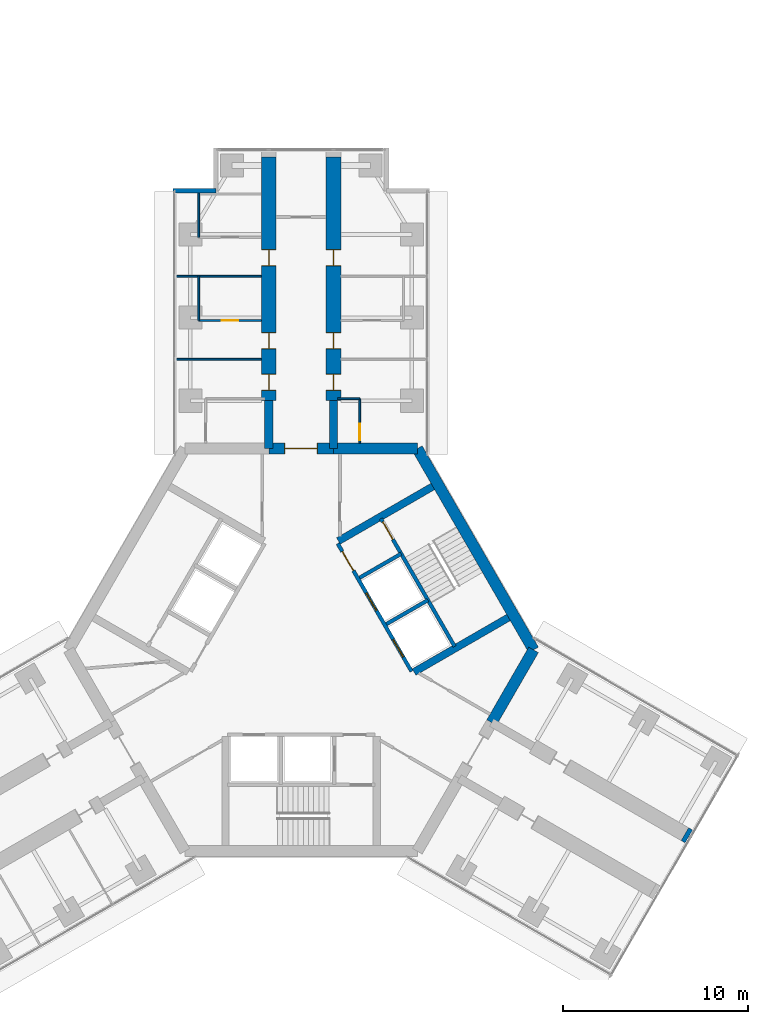
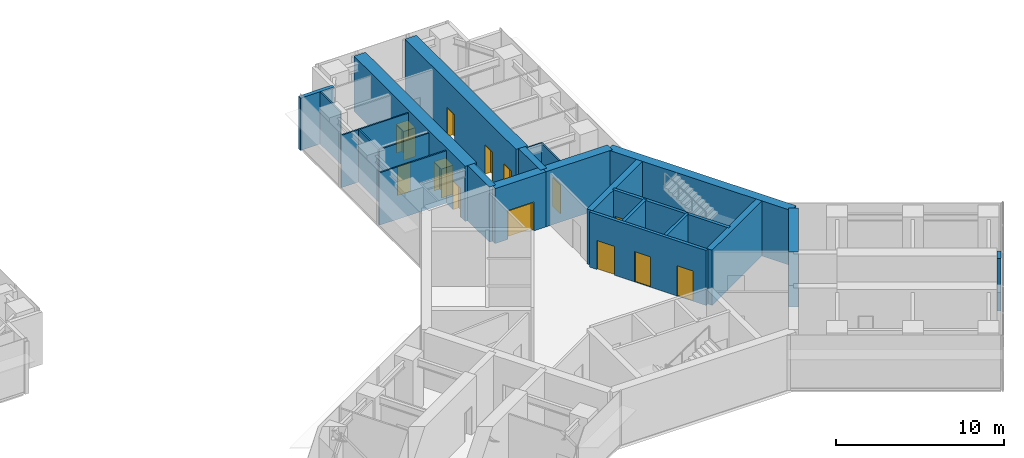
# One storey, part 20 of 23: 23 walls, 13 doors, 13 openings.
"""IFC4 building model written with IfcOpenShell, lengths in metres."""

from ifc_helpers import new_model, si_unit, direction, frame, frame_2d, origin, place, context, subcontext, project, spatial, rectangle, extrude, material, layer, layer_set, type_object, element, fill, save


model = new_model("IFC4")

# Units and contexts
model_context = context("Model", 3, precision=1e-05, world=origin(), true_north=direction((0.0, 1.0)))
body_context = subcontext(model_context, "Body", "Model", "MODEL_VIEW")
ifc_project = project(units=[si_unit("LENGTHUNIT", "METRE"), si_unit("AREAUNIT", "SQUARE_METRE"), si_unit("VOLUMEUNIT", "CUBIC_METRE"), si_unit("PLANEANGLEUNIT", "RADIAN"), si_unit("MASSUNIT", "GRAM", prefix="KILO")], contexts=[model_context])

# Site, building, storey
site_placement = place(None, origin())
site = spatial("IfcSite", under=ifc_project, at=site_placement, CompositionType="ELEMENT")
building_placement = place(site_placement, origin())
building = spatial("IfcBuilding", under=site, at=building_placement, Name="Upepo Twin Towers", CompositionType="ELEMENT")
storey_placement = place(building_placement, frame((0.0, 0.0, 157.5)))
storey = spatial("IfcBuildingStorey", under=building, at=storey_placement, Name="L38", CompositionType="ELEMENT", Elevation=157.5)

# Walls
ifc_material_1 = material(Name="Dense concrete blockwork", Category="masonry")
ifc_layer_1 = layer(ifc_material_1, 0.800048828125)
ifc_layer_set_1 = layer_set([ifc_layer_1], Name="Buttress closer 800, blockwork with fire-stopping to the curtain wall")
wall_type_1 = type_object("IfcWallType", Name="Buttress closer 800, blockwork with fire-stopping to the curtain wall", PredefinedType="PARTITIONING", material=ifc_layer_set_1)
wall_1_placement = place(storey_placement, frame((79.293701171875, -27.984375, 0.0), z_axis=(0.0, 0.0, 1.0), x_axis=(0.865827443207, -0.500342721131, 0.0)))
element("IfcWall", 1, at=wall_1_placement, inside=storey, type_object=wall_type_1, Name="T2 L38 wing C buttress closer L", PredefinedType="PARTITIONING", context=body_context, shape_type="SweptSolid", body=[
    extrude(rectangle(XDim=0.249755859375, YDim=0.800048828125, at=frame_2d((0.125, 0.0))), origin(), (0.0, 0.0, 1.0), 3.800048828125),
])
ifc_material_2 = material(Name="Concrete C60/75", Category="concrete")
ifc_layer_2 = layer(ifc_material_2, 0.449951171875)
ifc_layer_set_2 = layer_set([ifc_layer_2], Name="Concrete C60/75")
wall_type_2 = type_object("IfcWallType", Name="Buttress wall 450 RC", PredefinedType="SHEAR", material=ifc_layer_set_2)
for number, where, z_axis, x_axis, name in (
    (2, (56.75, -7.091552734375, 0.0), (0.0, 0.0, 1.0), (0.0, 1.0, 0.0), "T2 wing A buttress wall L"),
    (3, (60.25, -7.091552734375, 0.0), (0.0, 0.0, 1.0), (0.0, 1.0, 0.0), "T2 wing A buttress wall R"),
):
    element("IfcWall", number, at=place(storey_placement, frame(where, z_axis=z_axis, x_axis=x_axis)), inside=storey, type_object=wall_type_2, Name=name, PredefinedType="SHEAR", context=body_context, shape_type="SweptSolid", body=[
        extrude(rectangle(XDim=2.591552734375, YDim=0.449951171875, at=frame_2d((1.2958984375, 0.0))), origin(), (0.0, 0.0, 1.0), 4.0),
    ])

# Wall, openings, doors
ifc_material_3 = material(Name="Concrete C60/75", Category="concrete")
ifc_layer_3 = layer(ifc_material_3, 0.800048828125)
ifc_layer_set_3 = layer_set([ifc_layer_3], Name="Concrete C60/75")
wall_type_3 = type_object("IfcWallType", Name="Buttress wall 800 RC", PredefinedType="SHEAR", material=ifc_layer_set_3)
wall_2_placement = place(storey_placement, frame((56.75, -4.5, 0.0), z_axis=(0.0, 0.0, 1.0), x_axis=(0.0, 1.0, 0.0)))
wall_2 = element("IfcWall", 4, at=wall_2_placement, inside=storey, type_object=wall_type_3, Name="T2 wing A buttress wall L part 2", PredefinedType="SHEAR", context=body_context, shape_type="SweptSolid", body=[
    extrude(rectangle(XDim=13.199951171875, YDim=0.800048828125, at=frame_2d((6.60009765625, 0.0))), origin(), (0.0, 0.0, 1.0), 4.0),
])
opening_1_placement = place(wall_2_placement, frame((0.550048828125, 0.0, 0.0)))
opening_1 = element("IfcOpeningElement", 5, at=opening_1_placement, cuts=wall_2, Name="Opening D11", PredefinedType="OPENING", context=body_context, shape_type="SweptSolid", body=[
    extrude(rectangle(XDim=0.89990234375, YDim=2.10009765625, at=frame_2d((0.449951171875, 1.050048828125))), frame((0.0, 0.409912109375, 0.0), z_axis=(0.0, -1.0, 0.0), x_axis=(1.0, 0.0, 0.0)), (0.0, 0.0, 1.0), 0.820068359375),
])
opening_2_placement = place(wall_2_placement, frame((2.800048828125, 0.0, 0.0)))
opening_2 = element("IfcOpeningElement", 6, at=opening_2_placement, cuts=wall_2, Name="Opening D14", PredefinedType="OPENING", context=body_context, shape_type="SweptSolid", body=[
    extrude(rectangle(XDim=0.89990234375, YDim=2.10009765625, at=frame_2d((0.449951171875, 1.050048828125))), frame((0.0, 0.409912109375, 0.0), z_axis=(0.0, -1.0, 0.0), x_axis=(1.0, 0.0, 0.0)), (0.0, 0.0, 1.0), 0.820068359375),
])
opening_3_placement = place(wall_2_placement, frame((7.300048828125, 0.0, 0.0)))
opening_3 = element("IfcOpeningElement", 7, at=opening_3_placement, cuts=wall_2, Name="Opening D14", PredefinedType="OPENING", context=body_context, shape_type="SweptSolid", body=[
    extrude(rectangle(XDim=0.89990234375, YDim=2.10009765625, at=frame_2d((0.449951171875, 1.050048828125))), frame((0.0, 0.409912109375, 0.0), z_axis=(0.0, -1.0, 0.0), x_axis=(1.0, 0.0, 0.0)), (0.0, 0.0, 1.0), 0.820068359375),
])
ifc_material_4 = material(Name="Timber doorset", Category="wood")
door_type_1 = type_object("IfcDoorType", Name="Office door 900 FD30", OperationType="SINGLE_SWING_LEFT", PredefinedType="DOOR", material=ifc_material_4)
door_1_placement = place(opening_2_placement, origin())
door_1 = element("IfcDoor", 8, at=door_1_placement, inside=storey, type_object=door_type_1, Name="T2 L38 staff office door", OperationType="SINGLE_SWING_LEFT", OverallHeight=2.10009765625, OverallWidth=0.89990234375, PredefinedType="DOOR", context=body_context, shape_type="SweptSolid", body=[
    extrude(rectangle(XDim=0.81990234375, YDim=2.06009765625, at=frame_2d((0.449951171875, 1.030029296875))), frame((0.0, 0.02490234375, 0.0), z_axis=(0.0, -1.0, 0.0), x_axis=(1.0, 0.0, 0.0)), (0.0, 0.0, 1.0), 0.050048828125),
    extrude(rectangle(XDim=0.04, YDim=2.10009765625, at=frame_2d((0.02001953125, 1.050048828125))), frame((0.0, 0.39990234375, 0.0), z_axis=(0.0, -1.0, 0.0), x_axis=(1.0, 0.0, 0.0)), (0.0, 0.0, 1.0), 0.799560546875),
    extrude(rectangle(XDim=0.04, YDim=2.10009765625, at=frame_2d((0.8798828125, 1.050048828125))), frame((0.0, 0.39990234375, 0.0), z_axis=(0.0, -1.0, 0.0), x_axis=(1.0, 0.0, 0.0)), (0.0, 0.0, 1.0), 0.799560546875),
    extrude(rectangle(XDim=0.81990234375, YDim=0.04, at=frame_2d((0.449951171875, 2.080078125))), frame((0.0, 0.39990234375, 0.0), z_axis=(0.0, -1.0, 0.0), x_axis=(1.0, 0.0, 0.0)), (0.0, 0.0, 1.0), 0.799560546875),
])
fill(opening_2, door_1)
door_2_placement = place(opening_3_placement, origin())
door_2 = element("IfcDoor", 9, at=door_2_placement, inside=storey, type_object=door_type_1, Name="T2 L38 meeting room door", OperationType="SINGLE_SWING_RIGHT", OverallHeight=2.10009765625, OverallWidth=0.89990234375, PredefinedType="DOOR", context=body_context, shape_type="SweptSolid", body=[
    extrude(rectangle(XDim=0.81990234375, YDim=2.06009765625, at=frame_2d((0.449951171875, 1.030029296875))), frame((0.0, 0.02490234375, 0.0), z_axis=(0.0, -1.0, 0.0), x_axis=(1.0, 0.0, 0.0)), (0.0, 0.0, 1.0), 0.050048828125),
    extrude(rectangle(XDim=0.04, YDim=2.10009765625, at=frame_2d((0.02001953125, 1.050048828125))), frame((0.0, 0.39990234375, 0.0), z_axis=(0.0, -1.0, 0.0), x_axis=(1.0, 0.0, 0.0)), (0.0, 0.0, 1.0), 0.799560546875),
    extrude(rectangle(XDim=0.04, YDim=2.10009765625, at=frame_2d((0.8798828125, 1.050048828125))), frame((0.0, 0.39990234375, 0.0), z_axis=(0.0, -1.0, 0.0), x_axis=(1.0, 0.0, 0.0)), (0.0, 0.0, 1.0), 0.799560546875),
    extrude(rectangle(XDim=0.81990234375, YDim=0.04, at=frame_2d((0.449951171875, 2.080078125))), frame((0.0, 0.39990234375, 0.0), z_axis=(0.0, -1.0, 0.0), x_axis=(1.0, 0.0, 0.0)), (0.0, 0.0, 1.0), 0.799560546875),
])
fill(opening_3, door_2)
ifc_material_5 = material(Name="Timber doorset", Category="wood")
door_type_2 = type_object("IfcDoorType", Name="Toilet door 900", OperationType="SINGLE_SWING_LEFT", PredefinedType="DOOR", material=ifc_material_5)
door_3_placement = place(opening_1_placement, origin())
door_3 = element("IfcDoor", 10, at=door_3_placement, inside=storey, type_object=door_type_2, Name="T2 L38 accessible wc door", OperationType="SINGLE_SWING_LEFT", OverallHeight=2.10009765625, OverallWidth=0.89990234375, PredefinedType="DOOR", context=body_context, shape_type="SweptSolid", body=[
    extrude(rectangle(XDim=0.81990234375, YDim=2.06009765625, at=frame_2d((0.449951171875, 1.030029296875))), frame((0.0, 0.02490234375, 0.0), z_axis=(0.0, -1.0, 0.0), x_axis=(1.0, 0.0, 0.0)), (0.0, 0.0, 1.0), 0.050048828125),
    extrude(rectangle(XDim=0.04, YDim=2.10009765625, at=frame_2d((0.02001953125, 1.050048828125))), frame((0.0, 0.39990234375, 0.0), z_axis=(0.0, -1.0, 0.0), x_axis=(1.0, 0.0, 0.0)), (0.0, 0.0, 1.0), 0.799560546875),
    extrude(rectangle(XDim=0.04, YDim=2.10009765625, at=frame_2d((0.8798828125, 1.050048828125))), frame((0.0, 0.39990234375, 0.0), z_axis=(0.0, -1.0, 0.0), x_axis=(1.0, 0.0, 0.0)), (0.0, 0.0, 1.0), 0.799560546875),
    extrude(rectangle(XDim=0.81990234375, YDim=0.04, at=frame_2d((0.449951171875, 2.080078125))), frame((0.0, 0.39990234375, 0.0), z_axis=(0.0, -1.0, 0.0), x_axis=(1.0, 0.0, 0.0)), (0.0, 0.0, 1.0), 0.799560546875),
])
fill(opening_1, door_3)

wall_3_placement = place(storey_placement, frame((60.25, -4.5, 0.0), z_axis=(0.0, 0.0, 1.0), x_axis=(0.0, 1.0, 0.0)))
wall_3 = element("IfcWall", 11, at=wall_3_placement, inside=storey, type_object=wall_type_3, Name="T2 wing A buttress wall R part 2", PredefinedType="SHEAR", context=body_context, shape_type="SweptSolid", body=[
    extrude(rectangle(XDim=13.199951171875, YDim=0.800048828125, at=frame_2d((6.60009765625, 0.0))), origin(), (0.0, 0.0, 1.0), 4.0),
])
opening_4_placement = place(wall_3_placement, frame((0.550048828125, 0.0, 0.0)))
opening_4 = element("IfcOpeningElement", 12, at=opening_4_placement, cuts=wall_3, Name="Opening D11", PredefinedType="OPENING", context=body_context, shape_type="SweptSolid", body=[
    extrude(rectangle(XDim=0.89990234375, YDim=2.10009765625, at=frame_2d((0.449951171875, 1.050048828125))), frame((0.0, 0.409912109375, 0.0), z_axis=(0.0, -1.0, 0.0), x_axis=(1.0, 0.0, 0.0)), (0.0, 0.0, 1.0), 0.820068359375),
])
opening_5_placement = place(wall_3_placement, frame((2.800048828125, 0.0, 0.0)))
opening_5 = element("IfcOpeningElement", 13, at=opening_5_placement, cuts=wall_3, Name="Opening D14", PredefinedType="OPENING", context=body_context, shape_type="SweptSolid", body=[
    extrude(rectangle(XDim=0.89990234375, YDim=2.10009765625, at=frame_2d((0.449951171875, 1.050048828125))), frame((0.0, 0.409912109375, 0.0), z_axis=(0.0, -1.0, 0.0), x_axis=(1.0, 0.0, 0.0)), (0.0, 0.0, 1.0), 0.820068359375),
])
opening_6_placement = place(wall_3_placement, frame((7.300048828125, 0.0, 0.0)))
opening_6 = element("IfcOpeningElement", 14, at=opening_6_placement, cuts=wall_3, Name="Opening D14", PredefinedType="OPENING", context=body_context, shape_type="SweptSolid", body=[
    extrude(rectangle(XDim=0.89990234375, YDim=2.10009765625, at=frame_2d((0.449951171875, 1.050048828125))), frame((0.0, 0.409912109375, 0.0), z_axis=(0.0, -1.0, 0.0), x_axis=(1.0, 0.0, 0.0)), (0.0, 0.0, 1.0), 0.820068359375),
])
door_4_placement = place(opening_5_placement, origin())
door_4 = element("IfcDoor", 15, at=door_4_placement, inside=storey, type_object=door_type_1, Name="T2 L38 staff office door", OperationType="SINGLE_SWING_LEFT", OverallHeight=2.10009765625, OverallWidth=0.89990234375, PredefinedType="DOOR", context=body_context, shape_type="SweptSolid", body=[
    extrude(rectangle(XDim=0.81990234375, YDim=2.06009765625, at=frame_2d((0.449951171875, 1.030029296875))), frame((0.0, 0.02490234375, 0.0), z_axis=(0.0, -1.0, 0.0), x_axis=(1.0, 0.0, 0.0)), (0.0, 0.0, 1.0), 0.050048828125),
    extrude(rectangle(XDim=0.04, YDim=2.10009765625, at=frame_2d((0.02001953125, 1.050048828125))), frame((0.0, 0.39990234375, 0.0), z_axis=(0.0, -1.0, 0.0), x_axis=(1.0, 0.0, 0.0)), (0.0, 0.0, 1.0), 0.799560546875),
    extrude(rectangle(XDim=0.04, YDim=2.10009765625, at=frame_2d((0.8798828125, 1.050048828125))), frame((0.0, 0.39990234375, 0.0), z_axis=(0.0, -1.0, 0.0), x_axis=(1.0, 0.0, 0.0)), (0.0, 0.0, 1.0), 0.799560546875),
    extrude(rectangle(XDim=0.81990234375, YDim=0.04, at=frame_2d((0.449951171875, 2.080078125))), frame((0.0, 0.39990234375, 0.0), z_axis=(0.0, -1.0, 0.0), x_axis=(1.0, 0.0, 0.0)), (0.0, 0.0, 1.0), 0.799560546875),
])
fill(opening_5, door_4)
door_5_placement = place(opening_6_placement, origin())
door_5 = element("IfcDoor", 16, at=door_5_placement, inside=storey, type_object=door_type_1, Name="T2 L38 postgraduate office door", OperationType="SINGLE_SWING_RIGHT", OverallHeight=2.10009765625, OverallWidth=0.89990234375, PredefinedType="DOOR", context=body_context, shape_type="SweptSolid", body=[
    extrude(rectangle(XDim=0.81990234375, YDim=2.06009765625, at=frame_2d((0.449951171875, 1.030029296875))), frame((0.0, 0.02490234375, 0.0), z_axis=(0.0, -1.0, 0.0), x_axis=(1.0, 0.0, 0.0)), (0.0, 0.0, 1.0), 0.050048828125),
    extrude(rectangle(XDim=0.04, YDim=2.10009765625, at=frame_2d((0.02001953125, 1.050048828125))), frame((0.0, 0.39990234375, 0.0), z_axis=(0.0, -1.0, 0.0), x_axis=(1.0, 0.0, 0.0)), (0.0, 0.0, 1.0), 0.799560546875),
    extrude(rectangle(XDim=0.04, YDim=2.10009765625, at=frame_2d((0.8798828125, 1.050048828125))), frame((0.0, 0.39990234375, 0.0), z_axis=(0.0, -1.0, 0.0), x_axis=(1.0, 0.0, 0.0)), (0.0, 0.0, 1.0), 0.799560546875),
    extrude(rectangle(XDim=0.81990234375, YDim=0.04, at=frame_2d((0.449951171875, 2.080078125))), frame((0.0, 0.39990234375, 0.0), z_axis=(0.0, -1.0, 0.0), x_axis=(1.0, 0.0, 0.0)), (0.0, 0.0, 1.0), 0.799560546875),
])
fill(opening_6, door_5)
door_6_placement = place(opening_4_placement, origin())
door_6 = element("IfcDoor", 17, at=door_6_placement, inside=storey, type_object=door_type_2, Name="T2 L38 toilets door", OperationType="SINGLE_SWING_LEFT", OverallHeight=2.10009765625, OverallWidth=0.89990234375, PredefinedType="DOOR", context=body_context, shape_type="SweptSolid", body=[
    extrude(rectangle(XDim=0.81990234375, YDim=2.06009765625, at=frame_2d((0.449951171875, 1.030029296875))), frame((0.0, 0.02490234375, 0.0), z_axis=(0.0, -1.0, 0.0), x_axis=(1.0, 0.0, 0.0)), (0.0, 0.0, 1.0), 0.050048828125),
    extrude(rectangle(XDim=0.04, YDim=2.10009765625, at=frame_2d((0.02001953125, 1.050048828125))), frame((0.0, 0.39990234375, 0.0), z_axis=(0.0, -1.0, 0.0), x_axis=(1.0, 0.0, 0.0)), (0.0, 0.0, 1.0), 0.799560546875),
    extrude(rectangle(XDim=0.04, YDim=2.10009765625, at=frame_2d((0.8798828125, 1.050048828125))), frame((0.0, 0.39990234375, 0.0), z_axis=(0.0, -1.0, 0.0), x_axis=(1.0, 0.0, 0.0)), (0.0, 0.0, 1.0), 0.799560546875),
    extrude(rectangle(XDim=0.81990234375, YDim=0.04, at=frame_2d((0.449951171875, 2.080078125))), frame((0.0, 0.39990234375, 0.0), z_axis=(0.0, -1.0, 0.0), x_axis=(1.0, 0.0, 0.0)), (0.0, 0.0, 1.0), 0.799560546875),
])
fill(opening_4, door_6)

# Wall
ifc_material_6 = material(Name="Concrete C60/75", Category="concrete")
ifc_layer_4 = layer(ifc_material_6, 0.60009765625)
ifc_layer_set_4 = layer_set([ifc_layer_4], Name="Concrete C60/75")
wall_type_4 = type_object("IfcWallType", Name="Core wall 600 RC", PredefinedType="SHEAR", material=ifc_layer_set_4)
wall_4_placement = place(storey_placement, frame((64.7978515625, -7.091552734375, 0.0), z_axis=(0.0, 0.0, 1.0), x_axis=(-1.0, 0.0, 0.0)))
element("IfcWall", 18, at=wall_4_placement, inside=storey, type_object=wall_type_4, Name="T2 core wall 000 R", PredefinedType="SHEAR", context=body_context, shape_type="SweptSolid", body=[
    extrude(rectangle(XDim=4.5478515625, YDim=0.60009765625, at=frame_2d((2.27392578125, 0.0))), origin(), (0.0, 0.0, 1.0), 4.0),
])

# Wall, opening, door
wall_5_placement = place(storey_placement, frame((60.25, -7.091552734375, 0.0), z_axis=(0.0, 0.0, 1.0), x_axis=(-1.0, 0.0, 0.0)))
wall_5 = element("IfcWall", 19, at=wall_5_placement, inside=storey, type_object=wall_type_4, Name="T2 core wall 000", PredefinedType="SHEAR", context=body_context, shape_type="SweptSolid", body=[
    extrude(rectangle(XDim=3.5, YDim=0.60009765625, at=frame_2d((1.75, 0.0))), origin(), (0.0, 0.0, 1.0), 4.0),
])
opening_7_placement = place(wall_5_placement, frame((0.85009765625, 0.0, 0.0)))
opening_7 = element("IfcOpeningElement", 20, at=opening_7_placement, cuts=wall_5, Name="Opening D2", PredefinedType="OPENING", context=body_context, shape_type="SweptSolid", body=[
    extrude(rectangle(XDim=1.800048828125, YDim=2.10009765625, at=frame_2d((0.89990234375, 1.050048828125))), frame((0.0, 0.31005859375, 0.0), z_axis=(0.0, -1.0, 0.0), x_axis=(1.0, 0.0, 0.0)), (0.0, 0.0, 1.0), 0.6201171875),
])
ifc_material_7 = material(Name="Timber doorset", Category="wood")
door_type_3 = type_object("IfcDoorType", Name="Corridor double door 1800 FD60", OperationType="DOUBLE_DOOR_DOUBLE_SWING", PredefinedType="DOOR", material=ifc_material_7)
door_7_placement = place(opening_7_placement, origin())
door_7 = element("IfcDoor", 21, at=door_7_placement, inside=storey, type_object=door_type_3, Name="T2 L38 wing A corridor door", OperationType="DOUBLE_DOOR_DOUBLE_SWING", OverallHeight=2.10009765625, OverallWidth=1.800048828125, PredefinedType="DOOR", context=body_context, shape_type="SweptSolid", body=[
    extrude(rectangle(XDim=1.720048828125, YDim=2.06009765625, at=frame_2d((0.89990234375, 1.030029296875))), frame((0.0, 0.02490234375, 0.0), z_axis=(0.0, -1.0, 0.0), x_axis=(1.0, 0.0, 0.0)), (0.0, 0.0, 1.0), 0.050048828125),
    extrude(rectangle(XDim=0.04, YDim=2.10009765625, at=frame_2d((0.02001953125, 1.050048828125))), frame((0.0, 0.2998046875, 0.0), z_axis=(0.0, -1.0, 0.0), x_axis=(1.0, 0.0, 0.0)), (0.0, 0.0, 1.0), 0.599609375),
    extrude(rectangle(XDim=0.04, YDim=2.10009765625, at=frame_2d((1.780029296875, 1.050048828125))), frame((0.0, 0.2998046875, 0.0), z_axis=(0.0, -1.0, 0.0), x_axis=(1.0, 0.0, 0.0)), (0.0, 0.0, 1.0), 0.599609375),
    extrude(rectangle(XDim=1.720048828125, YDim=0.04, at=frame_2d((0.89990234375, 2.080078125))), frame((0.0, 0.2998046875, 0.0), z_axis=(0.0, -1.0, 0.0), x_axis=(1.0, 0.0, 0.0)), (0.0, 0.0, 1.0), 0.599609375),
])
fill(opening_7, door_7)

# Walls
wall_6_placement = place(storey_placement, frame((68.82177734375, -21.938720703125, 0.0), z_axis=(0.0, 0.0, 1.0), x_axis=(0.500024481964, 0.866011268655, 0.0)))
element("IfcWall", 22, at=wall_6_placement, inside=storey, type_object=wall_type_4, Name="T2 core wall 240 L", PredefinedType="SHEAR", context=body_context, shape_type="SweptSolid", body=[
    extrude(rectangle(XDim=4.548095703125, YDim=0.60009765625, at=frame_2d((2.27392578125, 0.0))), origin(), (0.0, 0.0, 1.0), 4.0),
])
wall_7_placement = place(storey_placement, frame((71.095947265625, -18.0, 0.0), z_axis=(0.0, 0.0, 1.0), x_axis=(-0.500005998175, 0.866021940709, 0.0)))
element("IfcWall", 23, at=wall_7_placement, inside=storey, type_object=wall_type_4, Name="T2 core wall 300", PredefinedType="SHEAR", context=body_context, shape_type="SweptSolid", body=[
    extrude(rectangle(XDim=12.595947265625, YDim=0.60009765625, at=frame_2d((6.2978515625, 0.0))), origin(), (0.0, 0.0, 1.0), 4.0),
])
ifc_material_8 = material(Name="Blockwork with anodised aluminium cladding", Category="masonry")
ifc_layer_5 = layer(ifc_material_8, 0.25)
ifc_layer_set_5 = layer_set([ifc_layer_5], Name="Notch cladding wall 250, pale metal")
wall_type_5 = type_object("IfcWallType", Name="Notch cladding wall 250, pale metal", PredefinedType="STANDARD", material=ifc_layer_set_5)
wall_8_placement = place(storey_placement, frame((51.550048828125, 6.875, 0.0), z_axis=(0.0, 0.0, 1.0), x_axis=(1.0, 0.0, 0.0)))
element("IfcWall", 24, at=wall_8_placement, inside=storey, type_object=wall_type_5, Name="T2 L38 wing A notch wall L1", PredefinedType="STANDARD", context=body_context, shape_type="SweptSolid", body=[
    extrude(rectangle(XDim=2.324951171875, YDim=0.25, at=frame_2d((1.16259765625, 0.0))), origin(), (0.0, 0.0, 1.0), 3.800048828125),
])
ifc_material_9 = material(Name="Gypsum board on steel studs", Category="steel")
ifc_layer_6 = layer(ifc_material_9, 0.10009765625)
ifc_layer_set_6 = layer_set([ifc_layer_6], Name="Office partition 100 stud")
wall_type_6 = type_object("IfcWallType", Name="Office partition 100 stud", PredefinedType="PARTITIONING", material=ifc_layer_set_6)
for number, where, z_axis, x_axis, name in (
    (25, (56.35009765625, -2.25, 0.0), (0.0, 0.0, 1.0), (-1.0, 0.0, 0.0), "T2 partition AL at 15.75"),
    (26, (56.35009765625, 2.25, 0.0), (0.0, 0.0, 1.0), (-1.0, 0.0, 0.0), "T2 partition AL at 20.25"),
):
    element("IfcWall", number, at=place(storey_placement, frame(where, z_axis=z_axis, x_axis=x_axis)), inside=storey, type_object=wall_type_6, Name=name, PredefinedType="PARTITIONING", context=body_context, shape_type="SweptSolid", body=[
        extrude(rectangle(XDim=4.60009765625, YDim=0.10009765625, at=frame_2d((2.300048828125, 0.0))), origin(), (0.0, 0.0, 1.0), 3.800048828125),
    ])
wall_9_placement = place(storey_placement, frame((52.949951171875, -0.14990234375, 0.0), z_axis=(0.0, 0.0, 1.0), x_axis=(0.0, 1.0, 0.0)))
element("IfcWall", 27, at=wall_9_placement, inside=storey, type_object=wall_type_6, Name="T2 inner room partition AL at 17.85", PredefinedType="PARTITIONING", context=body_context, shape_type="SweptSolid", body=[
    extrude(rectangle(XDim=2.39990234375, YDim=0.10009765625, at=frame_2d((1.199951171875, 0.0))), origin(), (0.0, 0.0, 1.0), 3.800048828125),
])

# Wall, opening, door
wall_10_placement = place(storey_placement, frame((56.35009765625, -0.14990234375, 0.0), z_axis=(0.0, 0.0, 1.0), x_axis=(-1.0, 0.0, 0.0)))
wall_10 = element("IfcWall", 28, at=wall_10_placement, inside=storey, type_object=wall_type_6, Name="T2 inner room partition AL end at 17.85", PredefinedType="PARTITIONING", context=body_context, shape_type="SweptSolid", body=[
    extrude(rectangle(XDim=3.400146484375, YDim=0.10009765625, at=frame_2d((1.7001953125, 0.0))), origin(), (0.0, 0.0, 1.0), 3.800048828125),
])
opening_8_placement = place(wall_10_placement, frame((1.25, 0.0, 0.0)))
opening_8 = element("IfcOpeningElement", 29, at=opening_8_placement, cuts=wall_10, Name="Opening D14", PredefinedType="OPENING", context=body_context, shape_type="SweptSolid", body=[
    extrude(rectangle(XDim=0.89990234375, YDim=2.10009765625, at=frame_2d((0.449951171875, 1.050048828125))), frame((0.0, 0.06005859375, 0.0), z_axis=(0.0, -1.0, 0.0), x_axis=(1.0, 0.0, 0.0)), (0.0, 0.0, 1.0), 0.1201171875),
])
door_8_placement = place(opening_8_placement, origin())
door_8 = element("IfcDoor", 30, at=door_8_placement, inside=storey, type_object=door_type_1, Name="T2 L38 inner room door", OperationType="SINGLE_SWING_LEFT", OverallHeight=2.10009765625, OverallWidth=0.89990234375, PredefinedType="DOOR", context=body_context, shape_type="SweptSolid", body=[
    extrude(rectangle(XDim=0.89990234375, YDim=2.10009765625, at=frame_2d((0.449951171875, 1.050048828125))), frame((0.0, 0.02490234375, 0.0), z_axis=(0.0, -1.0, 0.0), x_axis=(1.0, 0.0, 0.0)), (0.0, 0.0, 1.0), 0.050048828125),
])
fill(opening_8, door_8)

# Wall
wall_11_placement = place(storey_placement, frame((52.949951171875, 4.35009765625, 0.0), z_axis=(0.0, 0.0, 1.0), x_axis=(0.0, 1.0, 0.0)))
element("IfcWall", 31, at=wall_11_placement, inside=storey, type_object=wall_type_6, Name="T2 inner room partition AL at 22.35", PredefinedType="PARTITIONING", context=body_context, shape_type="SweptSolid", body=[
    extrude(rectangle(XDim=2.39990234375, YDim=0.10009765625, at=frame_2d((1.199951171875, 0.0))), origin(), (0.0, 0.0, 1.0), 3.800048828125),
])

# Wall, opening, door
wall_12_placement = place(storey_placement, frame((61.675048828125, -6.7919921875, 0.0), z_axis=(0.0, 0.0, 1.0), x_axis=(0.0, 1.0, 0.0)))
wall_12 = element("IfcWall", 32, at=wall_12_placement, inside=storey, type_object=wall_type_6, Name="T2 WC bay partition AR at 11.21", PredefinedType="PARTITIONING", context=body_context, shape_type="SweptSolid", body=[
    extrude(rectangle(XDim=2.39990234375, YDim=0.10009765625, at=frame_2d((1.199951171875, 0.0))), origin(), (0.0, 0.0, 1.0), 3.800048828125),
])
opening_9_placement = place(wall_12_placement, frame((0.14990234375, 0.0, 0.0)))
opening_9 = element("IfcOpeningElement", 33, at=opening_9_placement, cuts=wall_12, Name="Opening D14", PredefinedType="OPENING", context=body_context, shape_type="SweptSolid", body=[
    extrude(rectangle(XDim=0.89990234375, YDim=2.10009765625, at=frame_2d((0.449951171875, 1.050048828125))), frame((0.0, 0.06005859375, 0.0), z_axis=(0.0, -1.0, 0.0), x_axis=(1.0, 0.0, 0.0)), (0.0, 0.0, 1.0), 0.1201171875),
])
door_9_placement = place(opening_9_placement, origin())
door_9 = element("IfcDoor", 34, at=door_9_placement, inside=storey, type_object=door_type_1, Name="T2 L38 WC bay inner room door", OperationType="SINGLE_SWING_LEFT", OverallHeight=2.10009765625, OverallWidth=0.89990234375, PredefinedType="DOOR", context=body_context, shape_type="SweptSolid", body=[
    extrude(rectangle(XDim=0.89990234375, YDim=2.10009765625, at=frame_2d((0.449951171875, 1.050048828125))), frame((0.0, 0.02490234375, 0.0), z_axis=(0.0, -1.0, 0.0), x_axis=(1.0, 0.0, 0.0)), (0.0, 0.0, 1.0), 0.050048828125),
])
fill(opening_9, door_9)

# Wall
wall_13_placement = place(storey_placement, frame((60.47509765625, -4.39208984375, 0.0), z_axis=(0.0, 0.0, 1.0), x_axis=(1.0, 0.0, 0.0)))
element("IfcWall", 35, at=wall_13_placement, inside=storey, type_object=wall_type_6, Name="T2 WC bay partition AR end at 13.61", PredefinedType="PARTITIONING", context=body_context, shape_type="SweptSolid", body=[
    extrude(rectangle(XDim=1.199951171875, YDim=0.10009765625, at=frame_2d((0.60009765625, 0.0))), origin(), (0.0, 0.0, 1.0), 3.800048828125),
])

# Wall, openings, doors
ifc_material_10 = material(Name="Concrete C40/50", Category="concrete")
ifc_layer_7 = layer(ifc_material_10, 0.199951171875)
ifc_layer_set_7 = layer_set([ifc_layer_7], Name="Concrete C40/50")
wall_type_7 = type_object("IfcWallType", Name="Shaft wall 200 RC", PredefinedType="SHEAR", material=ifc_layer_set_7)
wall_14_placement = place(storey_placement, frame((64.483642578125, -19.1640625, 0.0), z_axis=(0.0, 0.0, 1.0), x_axis=(-0.49999894854, 0.866026010844, 0.0)))
wall_14 = element("IfcWall", 36, at=wall_14_placement, inside=storey, type_object=wall_type_7, Name="T2 core W300 front wall", PredefinedType="SHEAR", context=body_context, shape_type="SweptSolid", body=[
    extrude(rectangle(XDim=8.0, YDim=0.199951171875, at=frame_2d((4.0, 0.0))), origin(), (0.0, 0.0, 1.0), 4.0),
])
opening_10_placement = place(wall_14_placement, frame((6.300048828125, 0.0, 0.0)))
opening_10 = element("IfcOpeningElement", 37, at=opening_10_placement, cuts=wall_14, Name="Opening D4", PredefinedType="OPENING", context=body_context, shape_type="SweptSolid", body=[
    extrude(rectangle(XDim=1.199951171875, YDim=2.10009765625, at=frame_2d((0.60009765625, 1.050048828125))), frame((0.0, 0.10986328125, 0.0), z_axis=(0.0, -1.0, 0.0), x_axis=(1.0, 0.0, 0.0)), (0.0, 0.0, 1.0), 0.219970703125),
])
opening_11_placement = place(wall_14_placement, frame((0.89990234375, 0.0, 0.0)))
opening_11 = element("IfcOpeningElement", 38, at=opening_11_placement, cuts=wall_14, Name="Opening LD1", PredefinedType="OPENING", context=body_context, shape_type="SweptSolid", body=[
    extrude(rectangle(XDim=1.10009765625, YDim=2.199951171875, at=frame_2d((0.550048828125, 1.10009765625))), frame((0.0, 0.10986328125, 0.0), z_axis=(0.0, -1.0, 0.0), x_axis=(1.0, 0.0, 0.0)), (0.0, 0.0, 1.0), 0.219970703125),
])
opening_12_placement = place(wall_14_placement, frame((3.800048828125, 0.0, 0.0)))
opening_12 = element("IfcOpeningElement", 39, at=opening_12_placement, cuts=wall_14, Name="Opening LD1", PredefinedType="OPENING", context=body_context, shape_type="SweptSolid", body=[
    extrude(rectangle(XDim=1.10009765625, YDim=2.199951171875, at=frame_2d((0.550048828125, 1.10009765625))), frame((0.0, 0.10986328125, 0.0), z_axis=(0.0, -1.0, 0.0), x_axis=(1.0, 0.0, 0.0)), (0.0, 0.0, 1.0), 0.219970703125),
])
ifc_material_11 = material(Name="Steel doorset", Category="steel")
door_type_4 = type_object("IfcDoorType", Name="Lift landing door 1100", OperationType="DOUBLE_DOOR_SLIDING", PredefinedType="DOOR", material=ifc_material_11)
door_10_placement = place(opening_11_placement, origin())
door_10 = element("IfcDoor", 40, at=door_10_placement, inside=storey, type_object=door_type_4, Name="T2 L38 lift ML1 landing door", OperationType="DOUBLE_DOOR_SLIDING", OverallHeight=2.199951171875, OverallWidth=1.10009765625, PredefinedType="DOOR", context=body_context, shape_type="SweptSolid", body=[
    extrude(rectangle(XDim=1.10009765625, YDim=2.199951171875, at=frame_2d((0.550048828125, 1.10009765625))), frame((0.0, 0.02490234375, 0.0), z_axis=(0.0, -1.0, 0.0), x_axis=(1.0, 0.0, 0.0)), (0.0, 0.0, 1.0), 0.050048828125),
])
fill(opening_11, door_10)
door_11_placement = place(opening_12_placement, origin())
door_11 = element("IfcDoor", 41, at=door_11_placement, inside=storey, type_object=door_type_4, Name="T2 L38 lift ML2 landing door", OperationType="DOUBLE_DOOR_SLIDING", OverallHeight=2.199951171875, OverallWidth=1.10009765625, PredefinedType="DOOR", context=body_context, shape_type="SweptSolid", body=[
    extrude(rectangle(XDim=1.10009765625, YDim=2.199951171875, at=frame_2d((0.550048828125, 1.10009765625))), frame((0.0, 0.02490234375, 0.0), z_axis=(0.0, -1.0, 0.0), x_axis=(1.0, 0.0, 0.0)), (0.0, 0.0, 1.0), 0.050048828125),
])
fill(opening_12, door_11)
ifc_material_12 = material(Name="Timber doorset", Category="wood")
door_type_5 = type_object("IfcDoorType", Name="Lobby door 1200 FD60", OperationType="SINGLE_SWING_LEFT", PredefinedType="DOOR", material=ifc_material_12)
door_12_placement = place(opening_10_placement, origin())
door_12 = element("IfcDoor", 42, at=door_12_placement, inside=storey, type_object=door_type_5, Name="T2 L38 W300 lobby door", OperationType="SINGLE_SWING_RIGHT", OverallHeight=2.10009765625, OverallWidth=1.199951171875, PredefinedType="DOOR", context=body_context, shape_type="SweptSolid", body=[
    extrude(rectangle(XDim=1.199951171875, YDim=2.10009765625, at=frame_2d((0.60009765625, 1.050048828125))), frame((0.0, 0.02490234375, 0.0), z_axis=(0.0, -1.0, 0.0), x_axis=(1.0, 0.0, 0.0)), (0.0, 0.0, 1.0), 0.050048828125),
])
fill(opening_10, door_12)

# Walls
wall_15_placement = place(storey_placement, frame((63.120361328125, -16.6025390625, 0.0), z_axis=(0.0, 0.0, 1.0), x_axis=(0.866062058628, 0.499936506574, 0.0)))
element("IfcWall", 43, at=wall_15_placement, inside=storey, type_object=wall_type_7, Name="T2 core W300 shaft divider", PredefinedType="SHEAR", context=body_context, shape_type="SweptSolid", body=[
    extrude(rectangle(XDim=2.599853515625, YDim=0.199951171875, at=frame_2d((1.2998046875, 0.0))), origin(), (0.0, 0.0, 1.0), 4.0),
])
wall_16_placement = place(storey_placement, frame((61.67041015625, -14.091064453125, 0.0), z_axis=(0.0, 0.0, 1.0), x_axis=(0.86603858612, 0.49997716683, 0.0)))
element("IfcWall", 44, at=wall_16_placement, inside=storey, type_object=wall_type_7, Name="T2 core W300 lobby wall", PredefinedType="SHEAR", context=body_context, shape_type="SweptSolid", body=[
    extrude(rectangle(XDim=2.599609375, YDim=0.199951171875, at=frame_2d((1.2998046875, 0.0))), origin(), (0.0, 0.0, 1.0), 4.0),
])

# Wall, opening, door
wall_17_placement = place(storey_placement, frame((66.822021484375, -17.814208984375, 0.0), z_axis=(0.0, 0.0, 1.0), x_axis=(-0.49999894854, 0.866026010844, 0.0)))
wall_17 = element("IfcWall", 45, at=wall_17_placement, inside=storey, type_object=wall_type_7, Name="T2 core W300 stair wall", PredefinedType="SHEAR", context=body_context, shape_type="SweptSolid", body=[
    extrude(rectangle(XDim=8.0, YDim=0.199951171875, at=frame_2d((4.0, 0.0))), origin(), (0.0, 0.0, 1.0), 4.0),
])
opening_13_placement = place(wall_17_placement, frame((6.699951171875, 0.0, 0.0)))
opening_13 = element("IfcOpeningElement", 46, at=opening_13_placement, cuts=wall_17, Name="Opening D3", PredefinedType="OPENING", context=body_context, shape_type="SweptSolid", body=[
    extrude(rectangle(XDim=1.10009765625, YDim=2.10009765625, at=frame_2d((0.550048828125, 1.050048828125))), frame((0.0, 0.10986328125, 0.0), z_axis=(0.0, -1.0, 0.0), x_axis=(1.0, 0.0, 0.0)), (0.0, 0.0, 1.0), 0.219970703125),
])
ifc_material_13 = material(Name="Timber doorset", Category="wood")
door_type_6 = type_object("IfcDoorType", Name="Stair door 1100 FD60", OperationType="SINGLE_SWING_LEFT", PredefinedType="DOOR", material=ifc_material_13)
door_13_placement = place(opening_13_placement, origin())
door_13 = element("IfcDoor", 47, at=door_13_placement, inside=storey, type_object=door_type_6, Name="T2 L38 stair door", OperationType="SINGLE_SWING_RIGHT", OverallHeight=2.10009765625, OverallWidth=1.10009765625, PredefinedType="DOOR", context=body_context, shape_type="SweptSolid", body=[
    extrude(rectangle(XDim=1.10009765625, YDim=2.10009765625, at=frame_2d((0.550048828125, 1.050048828125))), frame((0.0, 0.02490234375, 0.0), z_axis=(0.0, -1.0, 0.0), x_axis=(1.0, 0.0, 0.0)), (0.0, 0.0, 1.0), 0.050048828125),
])
fill(opening_13, door_13)

# Walls
ifc_material_14 = material(Name="Concrete C40/50", Category="concrete")
ifc_layer_8 = layer(ifc_material_14, 0.39990234375)
ifc_layer_set_8 = layer_set([ifc_layer_8], Name="Concrete C40/50")
wall_type_8 = type_object("IfcWallType", Name="Shaft wall 400 RC", PredefinedType="SHEAR", material=ifc_layer_set_8)
wall_18_placement = place(storey_placement, frame((60.520263671875, -12.099365234375, 0.0), z_axis=(0.0, 0.0, 1.0), x_axis=(0.866009424208, 0.500027676417, 0.0)))
element("IfcWall", 48, at=wall_18_placement, inside=storey, type_object=wall_type_8, Name="T2 core W300 side wall N", PredefinedType="SHEAR", context=body_context, shape_type="SweptSolid", body=[
    extrude(rectangle(XDim=5.908447265625, YDim=0.39990234375, at=frame_2d((2.9541015625, 0.0))), origin(), (0.0, 0.0, 1.0), 4.0),
])
wall_19_placement = place(storey_placement, frame((64.620361328125, -19.20068359375, 0.0), z_axis=(0.0, 0.0, 1.0), x_axis=(0.866027317282, 0.49999668571, 0.0)))
element("IfcWall", 49, at=wall_19_placement, inside=storey, type_object=wall_type_8, Name="T2 core W300 side wall S", PredefinedType="SHEAR", context=body_context, shape_type="SweptSolid", body=[
    extrude(rectangle(XDim=5.908203125, YDim=0.39990234375, at=frame_2d((2.9541015625, 0.0))), origin(), (0.0, 0.0, 1.0), 4.0),
])

save(model, "model.ifc")
